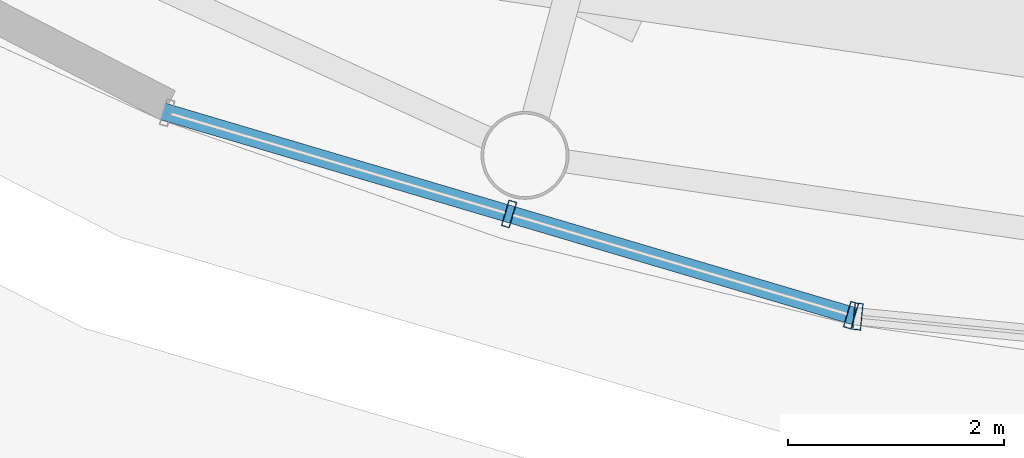
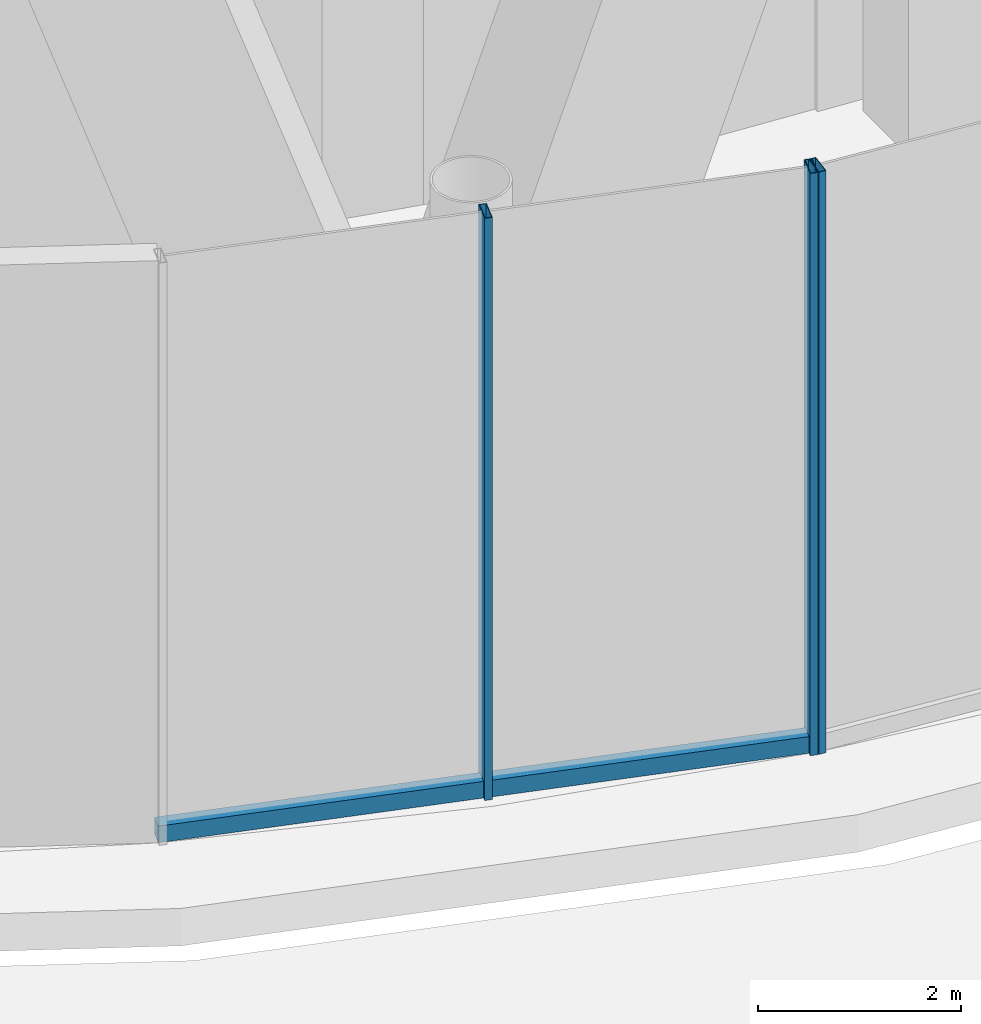
# One storey, part 4 of 67: 4 members, 2 elements without a shape of their own.
"""IFC4 building model written with IfcOpenShell, lengths in metres."""

from ifc_helpers import new_model, si_unit, direction, frame, origin, origin_2d, place, context, subcontext, project, spatial, hollow_rectangle, extrude, material, layer, layer_set, material_profile, profile_set, type_object, element, aggregate, save


model = new_model("IFC4")

# Units and contexts
model_context = context("Model", 3, precision=1e-05, world=origin(), true_north=direction((0.0, 1.0)))
body_context = subcontext(model_context, "Body", "Model", "MODEL_VIEW")
ifc_project = project(units=[si_unit("LENGTHUNIT", "METRE"), si_unit("AREAUNIT", "SQUARE_METRE"), si_unit("VOLUMEUNIT", "CUBIC_METRE"), si_unit("PLANEANGLEUNIT", "RADIAN"), si_unit("MASSUNIT", "GRAM", prefix="KILO")], contexts=[model_context])

# Site, building, storey
site_placement = place(None, origin())
site = spatial("IfcSite", under=ifc_project, at=site_placement, CompositionType="ELEMENT")
building_placement = place(site_placement, origin())
building = spatial("IfcBuilding", under=site, at=building_placement, Name="Nagisa Residences", CompositionType="ELEMENT")
storey_placement = place(building_placement, origin())
storey = spatial("IfcBuildingStorey", under=building, at=storey_placement, Name="L00", CompositionType="ELEMENT", Elevation=0.0)

# Curtain wall, members
ifc_material_1 = material(Name="Stainless steel curtain wall system", Category="steel")
ifc_layer = layer(ifc_material_1, 0.159912109375)
ifc_layer_set = layer_set([ifc_layer], Name="CW3 CURTAIN WALL")
curtain_wall_type = type_object("IfcCurtainWallType", Name="CW3 CURTAIN WALL", PredefinedType="NOTDEFINED", material=ifc_layer_set)
curtain_wall_1_placement = place(storey_placement, origin())
curtain_wall_1 = element("IfcCurtainWall", 1, at=curtain_wall_1_placement, inside=storey, type_object=curtain_wall_type, Name="cw:CW3:L00:25", PredefinedType="NOTDEFINED")
ifc_material_2 = material(Name="Stainless steel", Category="steel")
ifc_material_profile_1 = material_profile(ifc_material_2, hollow_rectangle(XDim=0.25, YDim=0.080078125, WallThickness=0.008056640625, at=origin_2d()), Name="CW3 MULLION 250x80")
ifc_profile_set_1 = profile_set([ifc_material_profile_1], Name="Stainless steel")
member_type_1 = type_object("IfcMemberType", Name="CW3 MULLION 250x80", PredefinedType="MULLION", material=ifc_profile_set_1)
member_1_placement = place(storey_placement, frame((-6.175048828125, -40.337890625, 0.0), z_axis=(0.0, 0.0, 1.0), x_axis=(0.283963226669, 0.958835171393, 0.0)))
member_1 = element("IfcMember", 2, at=member_1_placement, type_object=member_type_1, Name="CW3 mullion", PredefinedType="MULLION", context=body_context, shape_type="SweptSolid", body=[
    extrude(hollow_rectangle(XDim=0.25, YDim=0.080078125, WallThickness=0.008056640625, at=origin_2d()), origin(), (0.0, 0.0, 1.0), 7.0),
])
member_2_placement = place(storey_placement, frame((-3.01416015625, -41.27392578125, 0.0), z_axis=(0.0, 0.0, 1.0), x_axis=(0.283963226669, 0.958835171393, 0.0)))
member_2 = element("IfcMember", 3, at=member_2_placement, type_object=member_type_1, Name="CW3 mullion", PredefinedType="MULLION", context=body_context, shape_type="SweptSolid", body=[
    extrude(hollow_rectangle(XDim=0.25, YDim=0.080078125, WallThickness=0.008056640625, at=origin_2d()), origin(), (0.0, 0.0, 1.0), 7.0),
])

# Curtain wall, member
curtain_wall_2_placement = place(storey_placement, origin())
curtain_wall_2 = element("IfcCurtainWall", 4, at=curtain_wall_2_placement, inside=storey, type_object=curtain_wall_type, Name="cw:CW3:L00:26", PredefinedType="NOTDEFINED")
member_3_placement = place(storey_placement, frame((-2.951171875, -41.2861328125, 0.0), z_axis=(0.0, 0.0, 1.0), x_axis=(0.096249055035, 0.995357282289, 0.0)))
member_3 = element("IfcMember", 5, at=member_3_placement, type_object=member_type_1, Name="CW3 mullion", PredefinedType="MULLION", context=body_context, shape_type="SweptSolid", body=[
    extrude(hollow_rectangle(XDim=0.25, YDim=0.080078125, WallThickness=0.008056640625, at=origin_2d()), origin(), (0.0, 0.0, 1.0), 7.0),
])
aggregate(curtain_wall_2, [member_3])

# Member
ifc_material_3 = material(Name="Stainless steel", Category="steel")
ifc_material_profile_2 = material_profile(ifc_material_3, hollow_rectangle(XDim=0.159912109375, YDim=0.199951171875, WallThickness=0.008056640625, at=origin_2d()), Name="CW3 TRANSOM 160x200")
ifc_profile_set_2 = profile_set([ifc_material_profile_2], Name="Stainless steel")
member_type_2 = type_object("IfcMemberType", Name="CW3 TRANSOM 160x200", PredefinedType="USERDEFINED", material=ifc_profile_set_2)
member_4_placement = place(storey_placement, frame((-9.3740234375, -39.390380859375, 0.10009765625), z_axis=(0.958838335071, -0.283952543919, 0.0), x_axis=(0.283952543919, 0.958838335071, 0.0)))
member_4 = element("IfcMember", 6, at=member_4_placement, type_object=member_type_2, Name="CW3 transom", ObjectType="TRANSOM", PredefinedType="USERDEFINED", context=body_context, shape_type="SweptSolid", body=[
    extrude(hollow_rectangle(XDim=0.159912109375, YDim=0.199951171875, WallThickness=0.008056640625, at=origin_2d()), origin(), (0.0, 0.0, 1.0), 6.6728515625),
])

aggregate(curtain_wall_1, [member_1, member_2, member_4])

save(model, "model.ifc")
